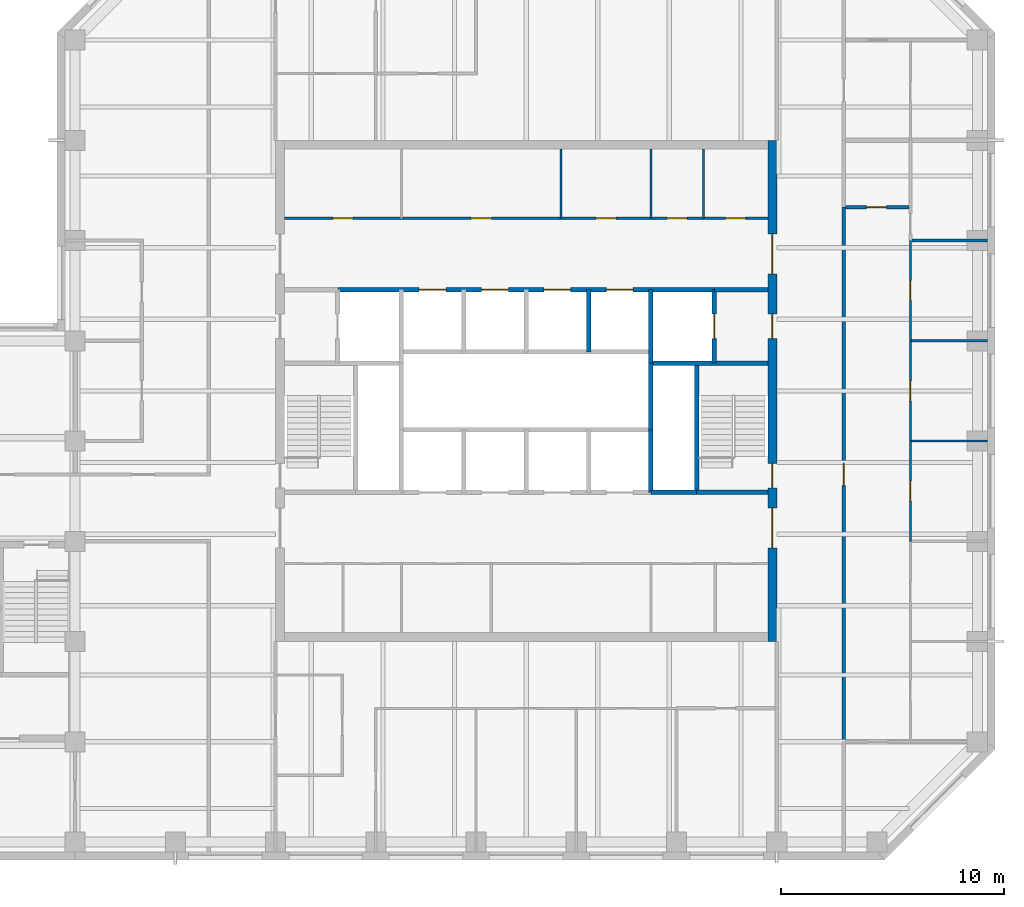
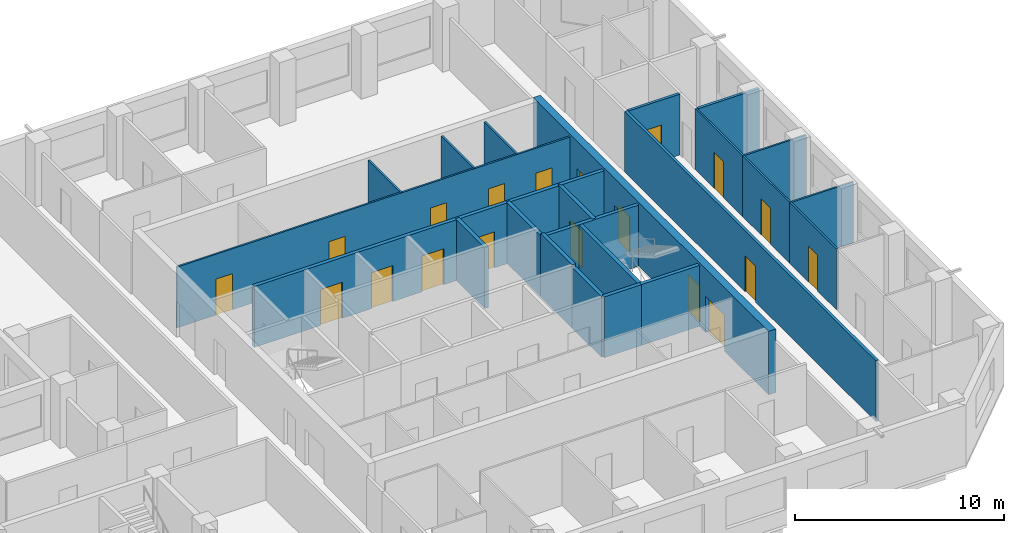
# One storey, part 6 of 9: 24 walls, 19 doors, 19 openings.
"""IFC4 building model written with IfcOpenShell, lengths in metres."""

from ifc_helpers import new_model, si_unit, direction, frame, frame_2d, origin, place, context, subcontext, project, spatial, rectangle, extrude, material, layer, layer_set, type_object, element, fill, save


model = new_model("IFC4")

# Units and contexts
model_context = context("Model", 3, precision=1e-05, world=origin(), true_north=direction((0.0, 1.0)))
body_context = subcontext(model_context, "Body", "Model", "MODEL_VIEW")
ifc_project = project(units=[si_unit("LENGTHUNIT", "METRE"), si_unit("AREAUNIT", "SQUARE_METRE"), si_unit("VOLUMEUNIT", "CUBIC_METRE"), si_unit("PLANEANGLEUNIT", "RADIAN"), si_unit("MASSUNIT", "GRAM", prefix="KILO")], contexts=[model_context])

# Site, building, storey
site_placement = place(None, origin())
site = spatial("IfcSite", under=ifc_project, at=site_placement, CompositionType="ELEMENT")
building_placement = place(site_placement, origin())
building = spatial("IfcBuilding", under=site, at=building_placement, Name="Quoin Convention Tower", CompositionType="ELEMENT")
storey_placement = place(building_placement, frame((0.0, 0.0, 199.5)))
storey = spatial("IfcBuildingStorey", under=building, at=storey_placement, Name="L52", CompositionType="ELEMENT", Elevation=199.5)

# Wall
ifc_material_1 = material(Name="Plasterboard")
ifc_layer_1 = layer(ifc_material_1, 0.012451171875, Name="Finish")
ifc_material_2 = material(Name="Steel stud framing", Category="steel")
ifc_layer_2 = layer(ifc_material_2, 0.125, Name="Structure")
ifc_layer_3 = layer(ifc_material_1, 0.012451171875, Name="Finish")
ifc_layer_set_1 = layer_set([ifc_layer_1, ifc_layer_2, ifc_layer_3], Name="Steel stud framing")
wall_type_1 = type_object("IfcWallType", Name="Acoustic partition 150", PredefinedType="PARTITIONING", material=ifc_layer_set_1)
wall_1_placement = place(storey_placement, frame((73.574951171875, 67.5, 0.0), z_axis=(0.0, 0.0, 1.0), x_axis=(1.0, 0.0, 0.0)))
element("IfcWall", 1, at=wall_1_placement, inside=storey, type_object=wall_type_1, Name="pw-L52-028", PredefinedType="PARTITIONING", context=body_context, shape_type="SweptSolid", body=[
    extrude(rectangle(XDim=3.375, YDim=0.14990234375, at=frame_2d((1.6875, 0.0))), origin(), (0.0, 0.0, 1.0), 3.550048828125),
])

# Wall, openings, doors
ifc_layer_4 = layer(ifc_material_1, 0.012451171875, Name="Finish")
ifc_layer_5 = layer(ifc_material_2, 0.074951171875, Name="Structure")
ifc_layer_6 = layer(ifc_material_1, 0.012451171875, Name="Finish")
ifc_layer_set_2 = layer_set([ifc_layer_4, ifc_layer_5, ifc_layer_6], Name="Steel stud framing")
wall_type_2 = type_object("IfcWallType", Name="Core partition wall", PredefinedType="PARTITIONING", material=ifc_layer_set_2)
wall_2_placement = place(storey_placement, frame((45.39990234375, 68.5, 0.0), z_axis=(0.0, 0.0, 1.0), x_axis=(1.0, 0.0, 0.0)))
wall_2 = element("IfcWall", 2, at=wall_2_placement, inside=storey, type_object=wall_type_2, Name="cr-C1-L52-h19000_400", PredefinedType="PARTITIONING", context=body_context, shape_type="SweptSolid", body=[
    extrude(rectangle(XDim=21.7001953125, YDim=0.10009765625, at=frame_2d((10.85009765625, 0.0))), origin(), (0.0, 0.0, 1.0), 3.550048828125),
])
opening_1_placement = place(wall_2_placement, frame((19.806396484375, 0.0, 0.0)))
opening_1 = element("IfcOpeningElement", 3, at=opening_1_placement, cuts=wall_2, Name="Opening DCV0-22", PredefinedType="OPENING", context=body_context, shape_type="SweptSolid", body=[
    extrude(rectangle(XDim=0.89990234375, YDim=2.10009765625, at=frame_2d((0.449951171875, 1.050048828125))), frame((0.0, 0.06005859375, 0.0), z_axis=(0.0, -1.0, 0.0), x_axis=(1.0, 0.0, 0.0)), (0.0, 0.0, 1.0), 0.1201171875),
])
opening_2_placement = place(wall_2_placement, frame((17.181396484375, 0.0, 0.0)))
opening_2 = element("IfcOpeningElement", 4, at=opening_2_placement, cuts=wall_2, Name="Opening DCV0-21", PredefinedType="OPENING", context=body_context, shape_type="SweptSolid", body=[
    extrude(rectangle(XDim=0.89990234375, YDim=2.10009765625, at=frame_2d((0.449951171875, 1.050048828125))), frame((0.0, 0.06005859375, 0.0), z_axis=(0.0, -1.0, 0.0), x_axis=(1.0, 0.0, 0.0)), (0.0, 0.0, 1.0), 0.1201171875),
])
opening_3_placement = place(wall_2_placement, frame((2.175048828125, 0.0, 0.0)))
opening_3 = element("IfcOpeningElement", 5, at=opening_3_placement, cuts=wall_2, Name="Opening DCV0-15", PredefinedType="OPENING", context=body_context, shape_type="SweptSolid", body=[
    extrude(rectangle(XDim=0.89990234375, YDim=2.10009765625, at=frame_2d((0.449951171875, 1.050048828125))), frame((0.0, 0.06005859375, 0.0), z_axis=(0.0, -1.0, 0.0), x_axis=(1.0, 0.0, 0.0)), (0.0, 0.0, 1.0), 0.1201171875),
])
opening_4_placement = place(wall_2_placement, frame((13.98388671875, 0.0, 0.0)))
opening_4 = element("IfcOpeningElement", 6, at=opening_4_placement, cuts=wall_2, Name="Opening DCV0-19", PredefinedType="OPENING", context=body_context, shape_type="SweptSolid", body=[
    extrude(rectangle(XDim=0.89990234375, YDim=2.10009765625, at=frame_2d((0.449951171875, 1.050048828125))), frame((0.0, 0.06005859375, 0.0), z_axis=(0.0, -1.0, 0.0), x_axis=(1.0, 0.0, 0.0)), (0.0, 0.0, 1.0), 0.1201171875),
])
opening_5_placement = place(wall_2_placement, frame((8.384033203125, 0.0, 0.0)))
opening_5 = element("IfcOpeningElement", 7, at=opening_5_placement, cuts=wall_2, Name="Opening DCV0-17", PredefinedType="OPENING", context=body_context, shape_type="SweptSolid", body=[
    extrude(rectangle(XDim=0.89990234375, YDim=2.10009765625, at=frame_2d((0.449951171875, 1.050048828125))), frame((0.0, 0.06005859375, 0.0), z_axis=(0.0, -1.0, 0.0), x_axis=(1.0, 0.0, 0.0)), (0.0, 0.0, 1.0), 0.1201171875),
])
ifc_material_3 = material(Name="Steel door leaf", Category="steel")
door_type_1 = type_object("IfcDoorType", Name="Core room door 900 x 2100", OperationType="SINGLE_SWING_LEFT", PredefinedType="DOOR", material=ifc_material_3)
door_1_placement = place(opening_1_placement, origin())
door_1 = element("IfcDoor", 8, at=door_1_placement, inside=storey, type_object=door_type_1, Name="cd-C1-L52-CNE0-lobB-CD5207", OperationType="SINGLE_SWING_RIGHT", OverallHeight=2.10009765625, OverallWidth=0.89990234375, PredefinedType="DOOR", context=body_context, shape_type="SweptSolid", body=[
    extrude(rectangle(XDim=0.89990234375, YDim=2.10009765625, at=frame_2d((0.449951171875, 1.050048828125))), frame((0.0, 0.02490234375, 0.0), z_axis=(0.0, -1.0, 0.0), x_axis=(1.0, 0.0, 0.0)), (0.0, 0.0, 1.0), 0.050048828125),
])
fill(opening_1, door_1)
door_2_placement = place(opening_2_placement, origin())
door_2 = element("IfcDoor", 9, at=door_2_placement, inside=storey, type_object=door_type_1, Name="cd-C1-L52-CNE1-lobB-CD5208", OperationType="SINGLE_SWING_RIGHT", OverallHeight=2.10009765625, OverallWidth=0.89990234375, PredefinedType="DOOR", context=body_context, shape_type="SweptSolid", body=[
    extrude(rectangle(XDim=0.89990234375, YDim=2.10009765625, at=frame_2d((0.449951171875, 1.050048828125))), frame((0.0, 0.02490234375, 0.0), z_axis=(0.0, -1.0, 0.0), x_axis=(1.0, 0.0, 0.0)), (0.0, 0.0, 1.0), 0.050048828125),
])
fill(opening_2, door_2)
door_3_placement = place(opening_3_placement, origin())
door_3 = element("IfcDoor", 10, at=door_3_placement, inside=storey, type_object=door_type_1, Name="cd-C1-L52-CNW0-lobB-CD5209", OperationType="SINGLE_SWING_RIGHT", OverallHeight=2.10009765625, OverallWidth=0.89990234375, PredefinedType="DOOR", context=body_context, shape_type="SweptSolid", body=[
    extrude(rectangle(XDim=0.89990234375, YDim=2.10009765625, at=frame_2d((0.449951171875, 1.050048828125))), frame((0.0, 0.02490234375, 0.0), z_axis=(0.0, -1.0, 0.0), x_axis=(1.0, 0.0, 0.0)), (0.0, 0.0, 1.0), 0.050048828125),
])
fill(opening_3, door_3)
door_4_placement = place(opening_4_placement, origin())
door_4 = element("IfcDoor", 11, at=door_4_placement, inside=storey, type_object=door_type_1, Name="cd-C1-L52-F40-lobB-CD5216", OperationType="SINGLE_SWING_RIGHT", OverallHeight=2.10009765625, OverallWidth=0.89990234375, PredefinedType="DOOR", context=body_context, shape_type="SweptSolid", body=[
    extrude(rectangle(XDim=0.89990234375, YDim=2.10009765625, at=frame_2d((0.449951171875, 1.050048828125))), frame((0.0, 0.02490234375, 0.0), z_axis=(0.0, -1.0, 0.0), x_axis=(1.0, 0.0, 0.0)), (0.0, 0.0, 1.0), 0.050048828125),
])
fill(opening_4, door_4)
door_5_placement = place(opening_5_placement, origin())
door_5 = element("IfcDoor", 12, at=door_5_placement, inside=storey, type_object=door_type_1, Name="cd-C1-L52-F41-lobB-CD5217", OperationType="SINGLE_SWING_RIGHT", OverallHeight=2.10009765625, OverallWidth=0.89990234375, PredefinedType="DOOR", context=body_context, shape_type="SweptSolid", body=[
    extrude(rectangle(XDim=0.89990234375, YDim=2.10009765625, at=frame_2d((0.449951171875, 1.050048828125))), frame((0.0, 0.02490234375, 0.0), z_axis=(0.0, -1.0, 0.0), x_axis=(1.0, 0.0, 0.0)), (0.0, 0.0, 1.0), 0.050048828125),
])
fill(opening_5, door_5)

# Walls
for number, where, z_axis, x_axis, name in (
    (13, (57.818115234375, 68.5, 0.0), (0.0, 0.0, 1.0), (0.0, 1.0, 0.0), "cr-C1-L52-v12818_19000"),
    (14, (61.85009765625, 68.5, 0.0), (0.0, 0.0, 1.0), (0.0, 1.0, 0.0), "cr-C1-L52-v16850_19000"),
    (15, (64.21240234375, 68.5, 0.0), (0.0, 0.0, 1.0), (0.0, 1.0, 0.0), "cr-C1-L52-v19212_19000"),
):
    element("IfcWall", number, at=place(storey_placement, frame(where, z_axis=z_axis, x_axis=x_axis)), inside=storey, type_object=wall_type_2, Name=name, PredefinedType="PARTITIONING", context=body_context, shape_type="SweptSolid", body=[
        extrude(rectangle(XDim=3.10009765625, YDim=0.10009765625, at=frame_2d((1.550048828125, 0.0))), origin(), (0.0, 0.0, 1.0), 3.550048828125),
    ])
ifc_material_4 = material(Name="Concrete C50", Category="concrete")
ifc_layer_7 = layer(ifc_material_4, 0.199951171875)
ifc_layer_set_3 = layer_set([ifc_layer_7], Name="Concrete C50")
wall_type_3 = type_object("IfcWallType", Name="Core shaft wall", PredefinedType="SOLIDWALL", material=ifc_layer_set_3)
wall_3_placement = place(storey_placement, frame((61.85009765625, 56.199951171875, 0.0), z_axis=(0.0, 0.0, 1.0), x_axis=(1.0, 0.0, 0.0)))
element("IfcWall", 16, at=wall_3_placement, inside=storey, type_object=wall_type_3, Name="cr-C1-L52-h6700_16850", PredefinedType="SOLIDWALL", context=body_context, shape_type="SweptSolid", body=[
    extrude(rectangle(XDim=2.0498046875, YDim=0.199951171875, at=frame_2d((1.02490234375, 0.0))), origin(), (0.0, 0.0, 1.0), 3.550048828125),
])
wall_4_placement = place(storey_placement, frame((63.89990234375, 56.199951171875, 0.0), z_axis=(0.0, 0.0, 1.0), x_axis=(1.0, 0.0, 0.0)))
element("IfcWall", 17, at=wall_4_placement, inside=storey, type_object=wall_type_3, Name="cr-C1-L52-h6700_18900", PredefinedType="SOLIDWALL", context=body_context, shape_type="SweptSolid", body=[
    extrude(rectangle(XDim=3.2001953125, YDim=0.199951171875, at=frame_2d((1.60009765625, 0.0))), origin(), (0.0, 0.0, 1.0), 3.550048828125),
])
wall_5_placement = place(storey_placement, frame((61.85009765625, 62.0, 0.0), z_axis=(0.0, 0.0, 1.0), x_axis=(1.0, 0.0, 0.0)))
element("IfcWall", 18, at=wall_5_placement, inside=storey, type_object=wall_type_3, Name="cr-C1-L52-h12500_16850", PredefinedType="SOLIDWALL", context=body_context, shape_type="SweptSolid", body=[
    extrude(rectangle(XDim=5.25, YDim=0.199951171875, at=frame_2d((2.625, 0.0))), origin(), (0.0, 0.0, 1.0), 3.550048828125),
])
wall_6_placement = place(storey_placement, frame((64.699951171875, 65.300048828125, 0.0), z_axis=(0.0, 0.0, 1.0), x_axis=(1.0, 0.0, 0.0)))
element("IfcWall", 19, at=wall_6_placement, inside=storey, type_object=wall_type_3, Name="cr-C1-L52-h15800_19700", PredefinedType="SOLIDWALL", context=body_context, shape_type="SweptSolid", body=[
    extrude(rectangle(XDim=2.400146484375, YDim=0.199951171875, at=frame_2d((1.2001953125, 0.0))), origin(), (0.0, 0.0, 1.0), 3.550048828125),
])

# Wall, openings, doors
wall_7_placement = place(storey_placement, frame((47.800048828125, 65.300048828125, 0.0), z_axis=(0.0, 0.0, 1.0), x_axis=(1.0, 0.0, 0.0)))
wall_7 = element("IfcWall", 20, at=wall_7_placement, inside=storey, type_object=wall_type_3, Name="cr-C1-L52-h15800_2800", PredefinedType="SOLIDWALL", context=body_context, shape_type="SweptSolid", body=[
    extrude(rectangle(XDim=16.89990234375, YDim=0.199951171875, at=frame_2d((8.449951171875, 0.0))), origin(), (0.0, 0.0, 1.0), 3.550048828125),
])
opening_6_placement = place(wall_7_placement, frame((3.64990234375, 0.0, 0.0)))
opening_6 = element("IfcOpeningElement", 21, at=opening_6_placement, cuts=wall_7, Name="Opening LDH5", PredefinedType="OPENING", context=body_context, shape_type="SweptSolid", body=[
    extrude(rectangle(XDim=1.199951171875, YDim=2.10009765625, at=frame_2d((0.60009765625, 1.050048828125))), frame((0.0, 0.10986328125, 0.0), z_axis=(0.0, -1.0, 0.0), x_axis=(1.0, 0.0, 0.0)), (0.0, 0.0, 1.0), 0.219970703125),
])
opening_7_placement = place(wall_7_placement, frame((6.449951171875, 0.0, 0.0)))
opening_7 = element("IfcOpeningElement", 22, at=opening_7_placement, cuts=wall_7, Name="Opening LDH6", PredefinedType="OPENING", context=body_context, shape_type="SweptSolid", body=[
    extrude(rectangle(XDim=1.199951171875, YDim=2.10009765625, at=frame_2d((0.60009765625, 1.050048828125))), frame((0.0, 0.10986328125, 0.0), z_axis=(0.0, -1.0, 0.0), x_axis=(1.0, 0.0, 0.0)), (0.0, 0.0, 1.0), 0.219970703125),
])
opening_8_placement = place(wall_7_placement, frame((9.25, 0.0, 0.0)))
opening_8 = element("IfcOpeningElement", 23, at=opening_8_placement, cuts=wall_7, Name="Opening LDH7", PredefinedType="OPENING", context=body_context, shape_type="SweptSolid", body=[
    extrude(rectangle(XDim=1.199951171875, YDim=2.10009765625, at=frame_2d((0.60009765625, 1.050048828125))), frame((0.0, 0.10986328125, 0.0), z_axis=(0.0, -1.0, 0.0), x_axis=(1.0, 0.0, 0.0)), (0.0, 0.0, 1.0), 0.219970703125),
])
opening_9_placement = place(wall_7_placement, frame((12.050048828125, 0.0, 0.0)))
opening_9 = element("IfcOpeningElement", 24, at=opening_9_placement, cuts=wall_7, Name="Opening LDH8", PredefinedType="OPENING", context=body_context, shape_type="SweptSolid", body=[
    extrude(rectangle(XDim=1.199951171875, YDim=2.10009765625, at=frame_2d((0.60009765625, 1.050048828125))), frame((0.0, 0.10986328125, 0.0), z_axis=(0.0, -1.0, 0.0), x_axis=(1.0, 0.0, 0.0)), (0.0, 0.0, 1.0), 0.219970703125),
])
door_type_2 = type_object("IfcDoorType", Name="Lift landing door 1200 x 2100", OperationType="DOUBLE_DOOR_SLIDING", PredefinedType="DOOR", material=ifc_material_3)
door_6_placement = place(opening_6_placement, origin())
door_6 = element("IfcDoor", 25, at=door_6_placement, inside=storey, type_object=door_type_2, Name="cd-C1-L52-R30-lobB-LDH5", OperationType="DOUBLE_DOOR_SLIDING", OverallHeight=2.10009765625, OverallWidth=1.199951171875, PredefinedType="DOOR", context=body_context, shape_type="SweptSolid", body=[
    extrude(rectangle(XDim=1.199951171875, YDim=2.10009765625, at=frame_2d((0.60009765625, 1.050048828125))), frame((0.0, 0.02490234375, 0.0), z_axis=(0.0, -1.0, 0.0), x_axis=(1.0, 0.0, 0.0)), (0.0, 0.0, 1.0), 0.050048828125),
])
fill(opening_6, door_6)
door_7_placement = place(opening_7_placement, origin())
door_7 = element("IfcDoor", 26, at=door_7_placement, inside=storey, type_object=door_type_2, Name="cd-C1-L52-R31-lobB-LDH6", OperationType="DOUBLE_DOOR_SLIDING", OverallHeight=2.10009765625, OverallWidth=1.199951171875, PredefinedType="DOOR", context=body_context, shape_type="SweptSolid", body=[
    extrude(rectangle(XDim=1.199951171875, YDim=2.10009765625, at=frame_2d((0.60009765625, 1.050048828125))), frame((0.0, 0.02490234375, 0.0), z_axis=(0.0, -1.0, 0.0), x_axis=(1.0, 0.0, 0.0)), (0.0, 0.0, 1.0), 0.050048828125),
])
fill(opening_7, door_7)
door_8_placement = place(opening_8_placement, origin())
door_8 = element("IfcDoor", 27, at=door_8_placement, inside=storey, type_object=door_type_2, Name="cd-C1-L52-R32-lobB-LDH7", OperationType="DOUBLE_DOOR_SLIDING", OverallHeight=2.10009765625, OverallWidth=1.199951171875, PredefinedType="DOOR", context=body_context, shape_type="SweptSolid", body=[
    extrude(rectangle(XDim=1.199951171875, YDim=2.10009765625, at=frame_2d((0.60009765625, 1.050048828125))), frame((0.0, 0.02490234375, 0.0), z_axis=(0.0, -1.0, 0.0), x_axis=(1.0, 0.0, 0.0)), (0.0, 0.0, 1.0), 0.050048828125),
])
fill(opening_8, door_8)
door_9_placement = place(opening_9_placement, origin())
door_9 = element("IfcDoor", 28, at=door_9_placement, inside=storey, type_object=door_type_2, Name="cd-C1-L52-R33-lobB-LDH8", OperationType="DOUBLE_DOOR_SLIDING", OverallHeight=2.10009765625, OverallWidth=1.199951171875, PredefinedType="DOOR", context=body_context, shape_type="SweptSolid", body=[
    extrude(rectangle(XDim=1.199951171875, YDim=2.10009765625, at=frame_2d((0.60009765625, 1.050048828125))), frame((0.0, 0.02490234375, 0.0), z_axis=(0.0, -1.0, 0.0), x_axis=(1.0, 0.0, 0.0)), (0.0, 0.0, 1.0), 0.050048828125),
])
fill(opening_9, door_9)

# Walls
for number, where, z_axis, x_axis, name in (
    (29, (59.050048828125, 62.5, 0.0), (0.0, 0.0, 1.0), (0.0, 1.0, 0.0), "cr-C1-L52-v14050_13000"),
    (30, (61.85009765625, 56.199951171875, 0.0), (0.0, 0.0, 1.0), (0.0, 1.0, 0.0), "cr-C1-L52-v16850_6700"),
):
    element("IfcWall", number, at=place(storey_placement, frame(where, z_axis=z_axis, x_axis=x_axis)), inside=storey, type_object=wall_type_3, Name=name, PredefinedType="SOLIDWALL", context=body_context, shape_type="SweptSolid", body=[
        extrude(rectangle(XDim=2.800048828125, YDim=0.199951171875, at=frame_2d((1.39990234375, 0.0))), origin(), (0.0, 0.0, 1.0), 3.550048828125),
    ])
wall_8_placement = place(storey_placement, frame((61.85009765625, 62.0, 0.0), z_axis=(0.0, 0.0, 1.0), x_axis=(0.0, 1.0, 0.0)))
element("IfcWall", 31, at=wall_8_placement, inside=storey, type_object=wall_type_3, Name="cr-C1-L52-v16850_12500", PredefinedType="SOLIDWALL", context=body_context, shape_type="SweptSolid", body=[
    extrude(rectangle(XDim=3.300048828125, YDim=0.199951171875, at=frame_2d((1.64990234375, 0.0))), origin(), (0.0, 0.0, 1.0), 3.550048828125),
])
wall_9_placement = place(storey_placement, frame((63.89990234375, 56.199951171875, 0.0), z_axis=(0.0, 0.0, 1.0), x_axis=(0.0, 1.0, 0.0)))
element("IfcWall", 32, at=wall_9_placement, inside=storey, type_object=wall_type_3, Name="cr-C1-L52-v18900_6700", PredefinedType="SOLIDWALL", context=body_context, shape_type="SweptSolid", body=[
    extrude(rectangle(XDim=5.800048828125, YDim=0.199951171875, at=frame_2d((2.89990234375, 0.0))), origin(), (0.0, 0.0, 1.0), 3.550048828125),
])

# Wall, opening, door
wall_10_placement = place(storey_placement, frame((64.699951171875, 62.0, 0.0), z_axis=(0.0, 0.0, 1.0), x_axis=(0.0, 1.0, 0.0)))
wall_10 = element("IfcWall", 33, at=wall_10_placement, inside=storey, type_object=wall_type_3, Name="cr-C1-L52-v19700_12500", PredefinedType="SOLIDWALL", context=body_context, shape_type="SweptSolid", body=[
    extrude(rectangle(XDim=3.300048828125, YDim=0.199951171875, at=frame_2d((1.64990234375, 0.0))), origin(), (0.0, 0.0, 1.0), 3.550048828125),
])
opening_10_placement = place(wall_10_placement, frame((1.10009765625, 0.0, 0.0)))
opening_10 = element("IfcOpeningElement", 34, at=opening_10_placement, cuts=wall_10, Name="Opening LDFL2", PredefinedType="OPENING", context=body_context, shape_type="SweptSolid", body=[
    extrude(rectangle(XDim=1.10009765625, YDim=2.10009765625, at=frame_2d((0.550048828125, 1.050048828125))), frame((0.0, 0.10986328125, 0.0), z_axis=(0.0, -1.0, 0.0), x_axis=(1.0, 0.0, 0.0)), (0.0, 0.0, 1.0), 0.219970703125),
])
door_type_3 = type_object("IfcDoorType", Name="Lift landing door 1100 x 2100", OperationType="DOUBLE_DOOR_SLIDING", PredefinedType="DOOR", material=ifc_material_3)
door_10_placement = place(opening_10_placement, origin())
door_10 = element("IfcDoor", 35, at=door_10_placement, inside=storey, type_object=door_type_3, Name="cd-C1-L52-FLE-FFE-LDFL2", OperationType="DOUBLE_DOOR_SLIDING", OverallHeight=2.10009765625, OverallWidth=1.10009765625, PredefinedType="DOOR", context=body_context, shape_type="SweptSolid", body=[
    extrude(rectangle(XDim=1.10009765625, YDim=2.10009765625, at=frame_2d((0.550048828125, 1.050048828125))), frame((0.0, 0.02490234375, 0.0), z_axis=(0.0, -1.0, 0.0), x_axis=(1.0, 0.0, 0.0)), (0.0, 0.0, 1.0), 0.050048828125),
])
fill(opening_10, door_10)

# Wall
ifc_layer_8 = layer(ifc_material_4, 0.199951171875)
ifc_layer_set_4 = layer_set([ifc_layer_8], Name="Concrete C50")
wall_type_4 = type_object("IfcWallType", Name="Core shaft wall to the floor level over", PredefinedType="SOLIDWALL", material=ifc_layer_set_4)
wall_11_placement = place(storey_placement, frame((61.85009765625, 59.0, 0.0), z_axis=(0.0, 0.0, 1.0), x_axis=(0.0, 1.0, 0.0)))
element("IfcWall", 36, at=wall_11_placement, inside=storey, type_object=wall_type_4, Name="cr-C1-L52-v16850_9500", PredefinedType="SOLIDWALL", context=body_context, shape_type="SweptSolid", body=[
    extrude(rectangle(XDim=3.0, YDim=0.199951171875, at=frame_2d((1.5, 0.0))), origin(), (0.0, 0.0, 1.0), 3.699951171875),
])

# Wall, opening, door
ifc_layer_9 = layer(ifc_material_1, 0.012451171875, Name="Finish")
ifc_layer_10 = layer(ifc_material_2, 0.125, Name="Structure")
ifc_layer_11 = layer(ifc_material_1, 0.012451171875, Name="Finish")
ifc_layer_set_5 = layer_set([ifc_layer_9, ifc_layer_10, ifc_layer_11], Name="Steel stud framing")
wall_type_5 = type_object("IfcWallType", Name="Corridor wall 150", PredefinedType="PARTITIONING", material=ifc_layer_set_5)
wall_12_placement = place(storey_placement, frame((70.5, 45.0, 0.0), z_axis=(0.0, 0.0, 1.0), x_axis=(0.0, 1.0, 0.0)))
wall_12 = element("IfcWall", 37, at=wall_12_placement, inside=storey, type_object=wall_type_5, Name="pw-L52-051", PredefinedType="PARTITIONING", context=body_context, shape_type="SweptSolid", body=[
    extrude(rectangle(XDim=24.0, YDim=0.14990234375, at=frame_2d((12.0, 0.0))), origin(), (0.0, 0.0, 1.0), 3.550048828125),
])
opening_11_placement = place(wall_12_placement, frame((11.5, 0.0, 0.0)))
opening_11 = element("IfcOpeningElement", 38, at=opening_11_placement, cuts=wall_12, Name="Opening DOH8-15", PredefinedType="OPENING", context=body_context, shape_type="SweptSolid", body=[
    extrude(rectangle(XDim=1.0, YDim=2.10009765625, at=frame_2d((0.5, 1.050048828125))), frame((0.0, 0.0849609375, 0.0), z_axis=(0.0, -1.0, 0.0), x_axis=(1.0, 0.0, 0.0)), (0.0, 0.0, 1.0), 0.169921875),
])
door_type_4 = type_object("IfcDoorType", Name="Tenancy entrance door 1000 x 2100", OperationType="DOUBLE_DOOR_SINGLE_SWING", PredefinedType="DOOR", material=ifc_material_3)
door_11_placement = place(opening_11_placement, frame((1.0, 0.0, 0.0), z_axis=(0.0, 0.0, 1.0), x_axis=(-1.0, 0.0, 0.0)))
door_11 = element("IfcDoor", 39, at=door_11_placement, inside=storey, type_object=door_type_4, Name="dr-L52-24", OperationType="DOUBLE_DOOR_SINGLE_SWING", OverallHeight=2.10009765625, OverallWidth=1.0, PredefinedType="DOOR", context=body_context, shape_type="SweptSolid", body=[
    extrude(rectangle(XDim=1.0, YDim=2.10009765625, at=frame_2d((0.5, 1.050048828125))), frame((0.0, 0.02490234375, 0.0), z_axis=(0.0, -1.0, 0.0), x_axis=(1.0, 0.0, 0.0)), (0.0, 0.0, 1.0), 0.050048828125),
])
fill(opening_11, door_11)

# Wall, openings, doors
ifc_layer_12 = layer(ifc_material_4, 0.39990234375)
ifc_layer_set_6 = layer_set([ifc_layer_12], Name="Concrete C50")
wall_type_6 = type_object("IfcWallType", Name="RC CORE WALL 400 C50", PredefinedType="SHEAR", material=ifc_layer_set_6)
wall_13_placement = place(storey_placement, frame((67.300048828125, 49.5, 0.0), z_axis=(0.0, 0.0, 1.0), x_axis=(0.0, 1.0, 0.0)))
wall_13 = element("IfcWall", 40, at=wall_13_placement, inside=storey, type_object=wall_type_6, Name="cwl-C1-L52-E", PredefinedType="SHEAR", context=body_context, shape_type="SweptSolid", body=[
    extrude(rectangle(XDim=22.5, YDim=0.39990234375, at=frame_2d((11.25, 0.0))), origin(), (0.0, 0.0, 1.0), 3.699951171875),
])
opening_12_placement = place(wall_13_placement, frame((4.199951171875, 0.0, 0.0)))
opening_12 = element("IfcOpeningElement", 41, at=opening_12_placement, cuts=wall_13, Name="Opening DCV0-57", PredefinedType="OPENING", context=body_context, shape_type="SweptSolid", body=[
    extrude(rectangle(XDim=1.800048828125, YDim=2.10009765625, at=frame_2d((0.89990234375, 1.050048828125))), frame((0.0, 0.2099609375, 0.0), z_axis=(0.0, -1.0, 0.0), x_axis=(1.0, 0.0, 0.0)), (0.0, 0.0, 1.0), 0.419921875),
])
opening_13_placement = place(wall_13_placement, frame((6.89990234375, 0.0, 0.0)))
opening_13 = element("IfcOpeningElement", 42, at=opening_13_placement, cuts=wall_13, Name="Opening SD2", PredefinedType="OPENING", context=body_context, shape_type="SweptSolid", body=[
    extrude(rectangle(XDim=1.10009765625, YDim=2.10009765625, at=frame_2d((0.550048828125, 1.050048828125))), frame((0.0, 0.2099609375, 0.0), z_axis=(0.0, -1.0, 0.0), x_axis=(1.0, 0.0, 0.0)), (0.0, 0.0, 1.0), 0.419921875),
])
opening_14_placement = place(wall_13_placement, frame((13.60009765625, 0.0, 0.0)))
opening_14 = element("IfcOpeningElement", 43, at=opening_14_placement, cuts=wall_13, Name="Opening DCV0-56", PredefinedType="OPENING", context=body_context, shape_type="SweptSolid", body=[
    extrude(rectangle(XDim=1.10009765625, YDim=2.10009765625, at=frame_2d((0.550048828125, 1.050048828125))), frame((0.0, 0.2099609375, 0.0), z_axis=(0.0, -1.0, 0.0), x_axis=(1.0, 0.0, 0.0)), (0.0, 0.0, 1.0), 0.419921875),
])
opening_15_placement = place(wall_13_placement, frame((16.5, 0.0, 0.0)))
opening_15 = element("IfcOpeningElement", 44, at=opening_15_placement, cuts=wall_13, Name="Opening DCV0-57", PredefinedType="OPENING", context=body_context, shape_type="SweptSolid", body=[
    extrude(rectangle(XDim=1.800048828125, YDim=2.10009765625, at=frame_2d((0.89990234375, 1.050048828125))), frame((0.0, 0.2099609375, 0.0), z_axis=(0.0, -1.0, 0.0), x_axis=(1.0, 0.0, 0.0)), (0.0, 0.0, 1.0), 0.419921875),
])
door_type_5 = type_object("IfcDoorType", Name="Fire-fighting lobby door 1100 x 2100", OperationType="SINGLE_SWING_LEFT", PredefinedType="DOOR", material=ifc_material_3)
door_12_placement = place(opening_14_placement, origin())
door_12 = element("IfcDoor", 45, at=door_12_placement, inside=storey, type_object=door_type_5, Name="cd-C1-L52-FFE-E", OperationType="SINGLE_SWING_RIGHT", OverallHeight=2.10009765625, OverallWidth=1.10009765625, PredefinedType="DOOR", context=body_context, shape_type="SweptSolid", body=[
    extrude(rectangle(XDim=1.10009765625, YDim=2.10009765625, at=frame_2d((0.550048828125, 1.050048828125))), frame((0.0, 0.02490234375, 0.0), z_axis=(0.0, -1.0, 0.0), x_axis=(1.0, 0.0, 0.0)), (0.0, 0.0, 1.0), 0.050048828125),
])
fill(opening_14, door_12)
door_type_6 = type_object("IfcDoorType", Name="Lift lobby door 1800 x 2100", OperationType="SINGLE_SWING_LEFT", PredefinedType="DOOR", material=ifc_material_3)
door_13_placement = place(opening_12_placement, origin())
door_13 = element("IfcDoor", 46, at=door_13_placement, inside=storey, type_object=door_type_6, Name="cd-C1-L52-lobA-E", OperationType="SINGLE_SWING_RIGHT", OverallHeight=2.10009765625, OverallWidth=1.800048828125, PredefinedType="DOOR", context=body_context, shape_type="SweptSolid", body=[
    extrude(rectangle(XDim=1.800048828125, YDim=2.10009765625, at=frame_2d((0.89990234375, 1.050048828125))), frame((0.0, 0.02490234375, 0.0), z_axis=(0.0, -1.0, 0.0), x_axis=(1.0, 0.0, 0.0)), (0.0, 0.0, 1.0), 0.050048828125),
])
fill(opening_12, door_13)
door_14_placement = place(opening_15_placement, origin())
door_14 = element("IfcDoor", 47, at=door_14_placement, inside=storey, type_object=door_type_6, Name="cd-C1-L52-lobB-E", OperationType="SINGLE_SWING_RIGHT", OverallHeight=2.10009765625, OverallWidth=1.800048828125, PredefinedType="DOOR", context=body_context, shape_type="SweptSolid", body=[
    extrude(rectangle(XDim=1.800048828125, YDim=2.10009765625, at=frame_2d((0.89990234375, 1.050048828125))), frame((0.0, 0.02490234375, 0.0), z_axis=(0.0, -1.0, 0.0), x_axis=(1.0, 0.0, 0.0)), (0.0, 0.0, 1.0), 0.050048828125),
])
fill(opening_15, door_14)
door_type_7 = type_object("IfcDoorType", Name="Stair door 1100 x 2100", OperationType="SINGLE_SWING_RIGHT", PredefinedType="DOOR", material=ifc_material_3)
door_15_placement = place(opening_13_placement, origin())
door_15 = element("IfcDoor", 48, at=door_15_placement, inside=storey, type_object=door_type_7, Name="cd-C1-L52-STE-E", OperationType="SINGLE_SWING_LEFT", OverallHeight=2.10009765625, OverallWidth=1.10009765625, PredefinedType="DOOR", context=body_context, shape_type="SweptSolid", body=[
    extrude(rectangle(XDim=1.10009765625, YDim=2.10009765625, at=frame_2d((0.550048828125, 1.050048828125))), frame((0.0, 0.02490234375, 0.0), z_axis=(0.0, -1.0, 0.0), x_axis=(1.0, 0.0, 0.0)), (0.0, 0.0, 1.0), 0.050048828125),
])
fill(opening_13, door_15)

# Walls
ifc_layer_13 = layer(ifc_material_1, 0.012451171875, Name="Finish")
ifc_layer_14 = layer(ifc_material_2, 0.074951171875, Name="Structure")
ifc_layer_15 = layer(ifc_material_1, 0.012451171875, Name="Finish")
ifc_layer_set_7 = layer_set([ifc_layer_13, ifc_layer_14, ifc_layer_15], Name="Steel stud framing")
wall_type_7 = type_object("IfcWallType", Name="Stud partition 100", PredefinedType="PARTITIONING", material=ifc_layer_set_7)
for number, where, z_axis, x_axis, name in (
    (49, (73.550048828125, 58.5, 0.0), (0.0, 0.0, 1.0), (1.0, 0.0, 0.0), "pw-L52-022"),
    (50, (73.550048828125, 63.0, 0.0), (0.0, 0.0, 1.0), (1.0, 0.0, 0.0), "pw-L52-026"),
):
    element("IfcWall", number, at=place(storey_placement, frame(where, z_axis=z_axis, x_axis=x_axis)), inside=storey, type_object=wall_type_7, Name=name, PredefinedType="PARTITIONING", context=body_context, shape_type="SweptSolid", body=[
        extrude(rectangle(XDim=3.39990234375, YDim=0.10009765625, at=frame_2d((1.699951171875, 0.0))), origin(), (0.0, 0.0, 1.0), 3.550048828125),
    ])

# Wall, opening, door
wall_14_placement = place(storey_placement, frame((73.5, 54.0, 0.0), z_axis=(0.0, 0.0, 1.0), x_axis=(0.0, 1.0, 0.0)))
wall_14 = element("IfcWall", 51, at=wall_14_placement, inside=storey, type_object=wall_type_7, Name="pw-L52-061", PredefinedType="PARTITIONING", context=body_context, shape_type="SweptSolid", body=[
    extrude(rectangle(XDim=4.5, YDim=0.10009765625, at=frame_2d((2.25, 0.0))), origin(), (0.0, 0.0, 1.0), 3.550048828125),
])
opening_16_placement = place(wall_14_placement, frame((1.800048828125, 0.0, 0.0)))
opening_16 = element("IfcOpeningElement", 52, at=opening_16_placement, cuts=wall_14, Name="Opening DOH8-18", PredefinedType="OPENING", context=body_context, shape_type="SweptSolid", body=[
    extrude(rectangle(XDim=0.89990234375, YDim=2.10009765625, at=frame_2d((0.449951171875, 1.050048828125))), frame((0.0, 0.06005859375, 0.0), z_axis=(0.0, -1.0, 0.0), x_axis=(1.0, 0.0, 0.0)), (0.0, 0.0, 1.0), 0.1201171875),
])
door_type_8 = type_object("IfcDoorType", Name="Office door 900 x 2100", OperationType="SINGLE_SWING_RIGHT", PredefinedType="DOOR", material=ifc_material_3)
door_16_placement = place(opening_16_placement, origin())
door_16 = element("IfcDoor", 53, at=door_16_placement, inside=storey, type_object=door_type_8, Name="dr-L52-28", OperationType="SINGLE_SWING_RIGHT", OverallHeight=2.10009765625, OverallWidth=0.89990234375, PredefinedType="DOOR", context=body_context, shape_type="SweptSolid", body=[
    extrude(rectangle(XDim=0.89990234375, YDim=2.10009765625, at=frame_2d((0.449951171875, 1.050048828125))), frame((0.0, 0.02490234375, 0.0), z_axis=(0.0, -1.0, 0.0), x_axis=(1.0, 0.0, 0.0)), (0.0, 0.0, 1.0), 0.050048828125),
])
fill(opening_16, door_16)

wall_15_placement = place(storey_placement, frame((73.5, 58.5, 0.0), z_axis=(0.0, 0.0, 1.0), x_axis=(0.0, 1.0, 0.0)))
wall_15 = element("IfcWall", 54, at=wall_15_placement, inside=storey, type_object=wall_type_7, Name="pw-L52-065", PredefinedType="PARTITIONING", context=body_context, shape_type="SweptSolid", body=[
    extrude(rectangle(XDim=4.5, YDim=0.10009765625, at=frame_2d((2.25, 0.0))), origin(), (0.0, 0.0, 1.0), 3.550048828125),
])
opening_17_placement = place(wall_15_placement, frame((1.800048828125, 0.0, 0.0)))
opening_17 = element("IfcOpeningElement", 55, at=opening_17_placement, cuts=wall_15, Name="Opening DOH8-19", PredefinedType="OPENING", context=body_context, shape_type="SweptSolid", body=[
    extrude(rectangle(XDim=0.89990234375, YDim=2.10009765625, at=frame_2d((0.449951171875, 1.050048828125))), frame((0.0, 0.06005859375, 0.0), z_axis=(0.0, -1.0, 0.0), x_axis=(1.0, 0.0, 0.0)), (0.0, 0.0, 1.0), 0.1201171875),
])
door_17_placement = place(opening_17_placement, origin())
door_17 = element("IfcDoor", 56, at=door_17_placement, inside=storey, type_object=door_type_8, Name="dr-L52-29", OperationType="SINGLE_SWING_RIGHT", OverallHeight=2.10009765625, OverallWidth=0.89990234375, PredefinedType="DOOR", context=body_context, shape_type="SweptSolid", body=[
    extrude(rectangle(XDim=0.89990234375, YDim=2.10009765625, at=frame_2d((0.449951171875, 1.050048828125))), frame((0.0, 0.02490234375, 0.0), z_axis=(0.0, -1.0, 0.0), x_axis=(1.0, 0.0, 0.0)), (0.0, 0.0, 1.0), 0.050048828125),
])
fill(opening_17, door_17)

wall_16_placement = place(storey_placement, frame((73.5, 63.0, 0.0), z_axis=(0.0, 0.0, 1.0), x_axis=(0.0, 1.0, 0.0)))
wall_16 = element("IfcWall", 57, at=wall_16_placement, inside=storey, type_object=wall_type_7, Name="pw-L52-073", PredefinedType="PARTITIONING", context=body_context, shape_type="SweptSolid", body=[
    extrude(rectangle(XDim=4.5, YDim=0.10009765625, at=frame_2d((2.25, 0.0))), origin(), (0.0, 0.0, 1.0), 3.550048828125),
])
opening_18_placement = place(wall_16_placement, frame((1.800048828125, 0.0, 0.0)))
opening_18 = element("IfcOpeningElement", 58, at=opening_18_placement, cuts=wall_16, Name="Opening DOH8-22", PredefinedType="OPENING", context=body_context, shape_type="SweptSolid", body=[
    extrude(rectangle(XDim=0.89990234375, YDim=2.10009765625, at=frame_2d((0.449951171875, 1.050048828125))), frame((0.0, 0.06005859375, 0.0), z_axis=(0.0, -1.0, 0.0), x_axis=(1.0, 0.0, 0.0)), (0.0, 0.0, 1.0), 0.1201171875),
])
door_18_placement = place(opening_18_placement, origin())
door_18 = element("IfcDoor", 59, at=door_18_placement, inside=storey, type_object=door_type_8, Name="dr-L52-30", OperationType="SINGLE_SWING_RIGHT", OverallHeight=2.10009765625, OverallWidth=0.89990234375, PredefinedType="DOOR", context=body_context, shape_type="SweptSolid", body=[
    extrude(rectangle(XDim=0.89990234375, YDim=2.10009765625, at=frame_2d((0.449951171875, 1.050048828125))), frame((0.0, 0.02490234375, 0.0), z_axis=(0.0, -1.0, 0.0), x_axis=(1.0, 0.0, 0.0)), (0.0, 0.0, 1.0), 0.050048828125),
])
fill(opening_18, door_18)

ifc_layer_16 = layer(ifc_material_1, 0.012451171875, Name="Finish")
ifc_layer_17 = layer(ifc_material_2, 0.125, Name="Structure")
ifc_layer_18 = layer(ifc_material_1, 0.012451171875, Name="Finish")
ifc_layer_set_8 = layer_set([ifc_layer_16, ifc_layer_17, ifc_layer_18], Name="Steel stud framing")
wall_type_8 = type_object("IfcWallType", Name="Wet area partition 150", PredefinedType="PARTITIONING", material=ifc_layer_set_8)
wall_17_placement = place(storey_placement, frame((70.574951171875, 69.0, 0.0), z_axis=(0.0, 0.0, 1.0), x_axis=(1.0, 0.0, 0.0)))
wall_17 = element("IfcWall", 60, at=wall_17_placement, inside=storey, type_object=wall_type_8, Name="pw-L52-029", PredefinedType="PARTITIONING", context=body_context, shape_type="SweptSolid", body=[
    extrude(rectangle(XDim=2.85009765625, YDim=0.14990234375, at=frame_2d((1.425048828125, 0.0))), origin(), (0.0, 0.0, 1.0), 3.550048828125),
])
opening_19_placement = place(wall_17_placement, frame((0.949951171875, 0.0, 0.0)))
opening_19 = element("IfcOpeningElement", 61, at=opening_19_placement, cuts=wall_17, Name="Opening DOH8-07", PredefinedType="OPENING", context=body_context, shape_type="SweptSolid", body=[
    extrude(rectangle(XDim=0.89990234375, YDim=2.10009765625, at=frame_2d((0.449951171875, 1.050048828125))), frame((0.0, 0.0849609375, 0.0), z_axis=(0.0, -1.0, 0.0), x_axis=(1.0, 0.0, 0.0)), (0.0, 0.0, 1.0), 0.169921875),
])
door_19_placement = place(opening_19_placement, frame((0.89990234375, 0.0, 0.0), z_axis=(0.0, 0.0, 1.0), x_axis=(-1.0, 0.0, 0.0)))
door_19 = element("IfcDoor", 62, at=door_19_placement, inside=storey, type_object=door_type_8, Name="dr-L52-31", OperationType="SINGLE_SWING_LEFT", OverallHeight=2.10009765625, OverallWidth=0.89990234375, PredefinedType="DOOR", context=body_context, shape_type="SweptSolid", body=[
    extrude(rectangle(XDim=0.89990234375, YDim=2.10009765625, at=frame_2d((0.449951171875, 1.050048828125))), frame((0.0, 0.02490234375, 0.0), z_axis=(0.0, -1.0, 0.0), x_axis=(1.0, 0.0, 0.0)), (0.0, 0.0, 1.0), 0.050048828125),
])
fill(opening_19, door_19)

save(model, "model.ifc")
